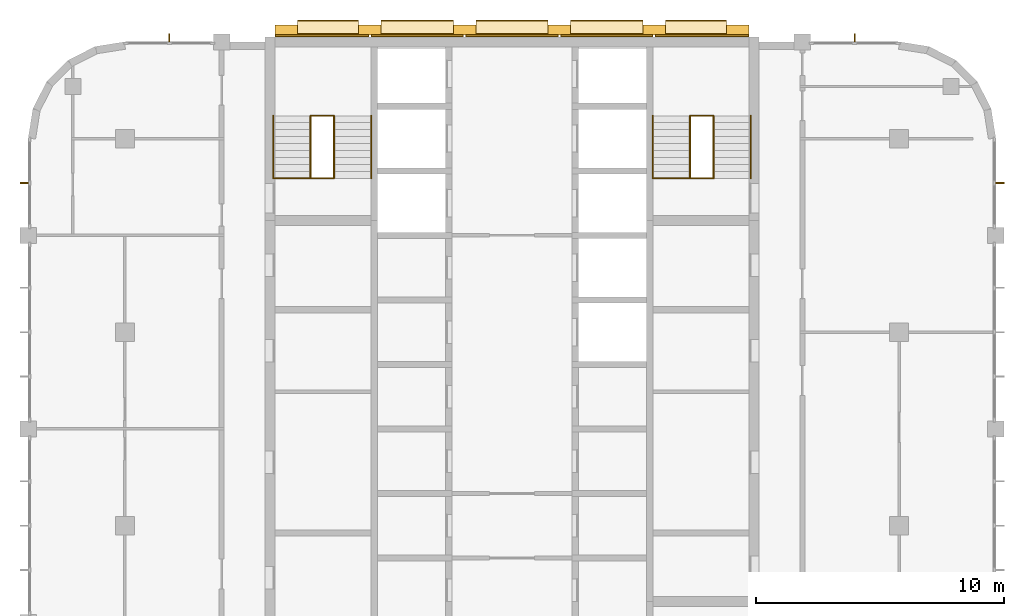
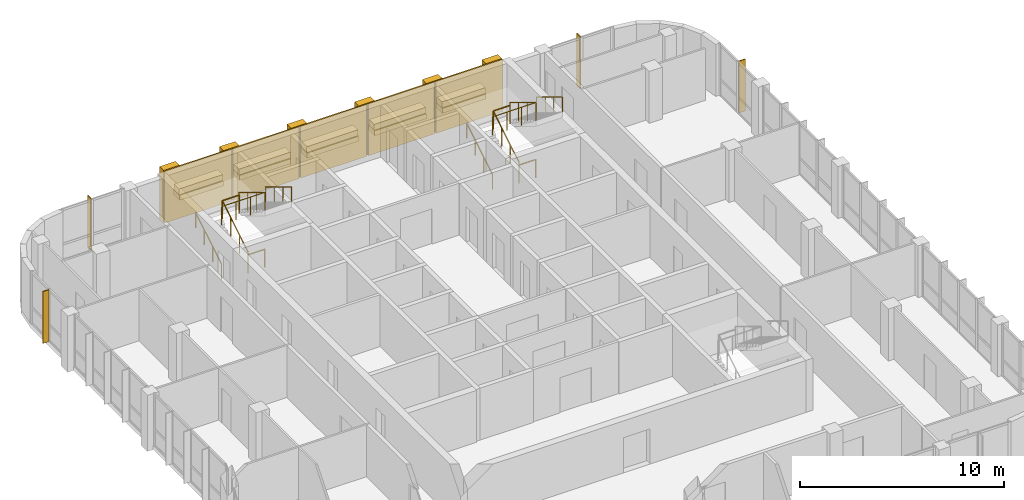
# One storey, part 17 of 17: 21 coverings, 14 railings, 4 shading devices, 2 elements without a shape of their own.
"""IFC4 building model written with IfcOpenShell, lengths in metres."""

from ifc_helpers import new_model, si_unit, direction, frame, origin, origin_2d, place, context, subcontext, project, spatial, rectangle, circle, extrude, material, layer, layer_set, type_object, element, aggregate, save


model = new_model("IFC4")

# Units and contexts
model_context = context("Model", 3, precision=1e-05, world=origin(), true_north=direction((0.0, 1.0)))
body_context = subcontext(model_context, "Body", "Model", "MODEL_VIEW")
ifc_project = project(units=[si_unit("LENGTHUNIT", "METRE"), si_unit("AREAUNIT", "SQUARE_METRE"), si_unit("VOLUMEUNIT", "CUBIC_METRE"), si_unit("PLANEANGLEUNIT", "RADIAN"), si_unit("MASSUNIT", "GRAM", prefix="KILO")], contexts=[model_context])

# Site, building, storey
site_placement = place(None, origin())
site = spatial("IfcSite", under=ifc_project, at=site_placement, CompositionType="ELEMENT")
building_placement = place(site_placement, origin())
building = spatial("IfcBuilding", under=site, at=building_placement, Name="Ludao Terraces", CompositionType="ELEMENT")
storey_placement = place(building_placement, frame((0.0, 0.0, 263.0)))
storey = spatial("IfcBuildingStorey", under=building, at=storey_placement, Name="L72", CompositionType="ELEMENT", Elevation=263.0)

# Coverings
ifc_material_1 = material(Name="Granite cladding", Category="masonry")
ifc_layer_1 = layer(ifc_material_1, 0.39990234375)
ifc_layer_set_1 = layer_set([ifc_layer_1], Name="ENV Core pilaster stone 400")
covering_type_1 = type_object("IfcCoveringType", Name="ENV Core pilaster stone 400", PredefinedType="CLADDING", material=ifc_layer_set_1)
for number, where, z_axis, x_axis, name in (
    (1, (75.89990234375, 84.97998046875, 0.0), (0.0, 0.0, 1.0), (1.0, 0.0, 0.0), "CC-L72-PIL1"),
    (2, (79.27001953125, 84.97998046875, 0.0), (0.0, 0.0, 1.0), (1.0, 0.0, 0.0), "CC-L72-PIL2"),
    (3, (83.090087890625, 84.97998046875, 0.0), (0.0, 0.0, 1.0), (1.0, 0.0, 0.0), "CC-L72-PIL3"),
    (4, (86.909912109375, 84.97998046875, 0.0), (0.0, 0.0, 1.0), (1.0, 0.0, 0.0), "CC-L72-PIL4"),
    (5, (90.72998046875, 84.97998046875, 0.0), (0.0, 0.0, 1.0), (1.0, 0.0, 0.0), "CC-L72-PIL5"),
    (6, (94.10009765625, 84.97998046875, 0.0), (0.0, 0.0, 1.0), (1.0, 0.0, 0.0), "CC-L72-PIL6"),
):
    element("IfcCovering", number, at=place(storey_placement, frame(where, z_axis=z_axis, x_axis=x_axis)), inside=storey, type_object=covering_type_1, Name=name, PredefinedType="CLADDING", context=body_context, shape_type="SweptSolid", body=[
        extrude(rectangle(XDim=0.89990234375, YDim=0.39990234375, at=origin_2d()), origin(), (0.0, 0.0, 1.0), 3.10009765625),
    ])
ifc_layer_2 = layer(ifc_material_1, 0.60009765625)
ifc_layer_set_2 = layer_set([ifc_layer_2], Name="ENV Core planting shelf stone 600")
covering_type_2 = type_object("IfcCoveringType", Name="ENV Core planting shelf stone 600", PredefinedType="CLADDING", material=ifc_layer_set_2)
covering_1_placement = place(storey_placement, frame((77.5849609375, 85.080078125, 1.0), z_axis=(0.0, 0.0, 1.0), x_axis=(1.0, 0.0, 0.0)))
element("IfcCovering", 7, at=covering_1_placement, inside=storey, type_object=covering_type_2, Name="CC-L72-SHELF1", PredefinedType="CLADDING", context=body_context, shape_type="SweptSolid", body=[
    extrude(rectangle(XDim=2.469970703125, YDim=0.60009765625, at=origin_2d()), origin(), (0.0, 0.0, 1.0), 0.300048828125),
])
for number, where, z_axis, x_axis, name in (
    (8, (81.179931640625, 85.080078125, 1.0), (0.0, 0.0, 1.0), (1.0, 0.0, 0.0), "CC-L72-SHELF2"),
    (9, (85.0, 85.080078125, 1.0), (0.0, 0.0, 1.0), (1.0, 0.0, 0.0), "CC-L72-SHELF3"),
    (10, (88.820068359375, 85.080078125, 1.0), (0.0, 0.0, 1.0), (1.0, 0.0, 0.0), "CC-L72-SHELF4"),
):
    element("IfcCovering", number, at=place(storey_placement, frame(where, z_axis=z_axis, x_axis=x_axis)), inside=storey, type_object=covering_type_2, Name=name, PredefinedType="CLADDING", context=body_context, shape_type="SweptSolid", body=[
        extrude(rectangle(XDim=2.919921875, YDim=0.60009765625, at=origin_2d()), origin(), (0.0, 0.0, 1.0), 0.300048828125),
    ])
covering_2_placement = place(storey_placement, frame((92.4150390625, 85.080078125, 1.0), z_axis=(0.0, 0.0, 1.0), x_axis=(1.0, 0.0, 0.0)))
element("IfcCovering", 11, at=covering_2_placement, inside=storey, type_object=covering_type_2, Name="CC-L72-SHELF5", PredefinedType="CLADDING", context=body_context, shape_type="SweptSolid", body=[
    extrude(rectangle(XDim=2.469970703125, YDim=0.60009765625, at=origin_2d()), origin(), (0.0, 0.0, 1.0), 0.300048828125),
])
ifc_layer_3 = layer(ifc_material_1, 0.080078125)
ifc_layer_set_3 = layer_set([ifc_layer_3], Name="ENV Core stone cladding panel 80")
covering_type_3 = type_object("IfcCoveringType", Name="ENV Core stone cladding panel 80", PredefinedType="CLADDING", material=ifc_layer_set_3)
covering_3_placement = place(storey_placement, frame((77.3349609375, 84.739990234375, 0.0), z_axis=(0.0, 0.0, 1.0), x_axis=(1.0, 0.0, 0.0)))
element("IfcCovering", 12, at=covering_3_placement, inside=storey, type_object=covering_type_3, Name="CC-L72-CORE1", PredefinedType="CLADDING", context=body_context, shape_type="SweptSolid", body=[
    extrude(rectangle(XDim=3.77001953125, YDim=0.080078125, at=origin_2d()), origin(), (0.0, 0.0, 1.0), 3.10009765625),
])
for number, where, z_axis, x_axis, name in (
    (13, (81.179931640625, 84.739990234375, 0.0), (0.0, 0.0, 1.0), (1.0, 0.0, 0.0), "CC-L72-CORE2"),
    (14, (85.0, 84.739990234375, 0.0), (0.0, 0.0, 1.0), (1.0, 0.0, 0.0), "CC-L72-CORE3"),
    (15, (88.820068359375, 84.739990234375, 0.0), (0.0, 0.0, 1.0), (1.0, 0.0, 0.0), "CC-L72-CORE4"),
):
    element("IfcCovering", number, at=place(storey_placement, frame(where, z_axis=z_axis, x_axis=x_axis)), inside=storey, type_object=covering_type_3, Name=name, PredefinedType="CLADDING", context=body_context, shape_type="SweptSolid", body=[
        extrude(rectangle(XDim=3.719970703125, YDim=0.080078125, at=origin_2d()), origin(), (0.0, 0.0, 1.0), 3.10009765625),
    ])
covering_4_placement = place(storey_placement, frame((92.6650390625, 84.739990234375, 0.0), z_axis=(0.0, 0.0, 1.0), x_axis=(1.0, 0.0, 0.0)))
element("IfcCovering", 16, at=covering_4_placement, inside=storey, type_object=covering_type_3, Name="CC-L72-CORE5", PredefinedType="CLADDING", context=body_context, shape_type="SweptSolid", body=[
    extrude(rectangle(XDim=3.77001953125, YDim=0.080078125, at=origin_2d()), origin(), (0.0, 0.0, 1.0), 3.10009765625),
])
ifc_material_2 = material(Name="Planting")
ifc_layer_4 = layer(ifc_material_2, 0.5)
ifc_layer_set_4 = layer_set([ifc_layer_4], Name="ENV Shelf planting bed 350")
covering_type_4 = type_object("IfcCoveringType", Name="ENV Shelf planting bed 350", PredefinedType="USERDEFINED", material=ifc_layer_set_4)
covering_5_placement = place(storey_placement, frame((77.5849609375, 85.080078125, 1.300048828125), z_axis=(0.0, 0.0, 1.0), x_axis=(1.0, 0.0, 0.0)))
element("IfcCovering", 17, at=covering_5_placement, inside=storey, type_object=covering_type_4, Name="Shelf planting bed L72 1", ObjectType="PLANTING", PredefinedType="USERDEFINED", context=body_context, shape_type="SweptSolid", body=[
    extrude(rectangle(XDim=2.469970703125, YDim=0.5, at=origin_2d()), origin(), (0.0, 0.0, 1.0), 0.35009765625),
])
for number, where, z_axis, x_axis, name in (
    (18, (81.179931640625, 85.080078125, 1.300048828125), (0.0, 0.0, 1.0), (1.0, 0.0, 0.0), "Shelf planting bed L72 2"),
    (19, (85.0, 85.080078125, 1.300048828125), (0.0, 0.0, 1.0), (1.0, 0.0, 0.0), "Shelf planting bed L72 3"),
    (20, (88.820068359375, 85.080078125, 1.300048828125), (0.0, 0.0, 1.0), (1.0, 0.0, 0.0), "Shelf planting bed L72 4"),
):
    element("IfcCovering", number, at=place(storey_placement, frame(where, z_axis=z_axis, x_axis=x_axis)), inside=storey, type_object=covering_type_4, Name=name, ObjectType="PLANTING", PredefinedType="USERDEFINED", context=body_context, shape_type="SweptSolid", body=[
        extrude(rectangle(XDim=2.919921875, YDim=0.5, at=origin_2d()), origin(), (0.0, 0.0, 1.0), 0.35009765625),
    ])
covering_6_placement = place(storey_placement, frame((92.4150390625, 85.080078125, 1.300048828125), z_axis=(0.0, 0.0, 1.0), x_axis=(1.0, 0.0, 0.0)))
element("IfcCovering", 21, at=covering_6_placement, inside=storey, type_object=covering_type_4, Name="Shelf planting bed L72 5", ObjectType="PLANTING", PredefinedType="USERDEFINED", context=body_context, shape_type="SweptSolid", body=[
    extrude(rectangle(XDim=2.469970703125, YDim=0.5, at=origin_2d()), origin(), (0.0, 0.0, 1.0), 0.35009765625),
])

# Shading devices
ifc_material_3 = material(Name="Aluminium 6063-T6", Category="aluminium")
ifc_layer_5 = layer(ifc_material_3, 0.050048828125)
ifc_layer_set_5 = layer_set([ifc_layer_5], Name="ENV Sun fin 50x350")
shading_device_type = type_object("IfcShadingDeviceType", Name="ENV Sun fin 50x350", PredefinedType="USERDEFINED", material=ifc_layer_set_5)
shading_device_1_placement = place(storey_placement, frame((104.655029296875, 78.8125, 0.0), z_axis=(0.0, 0.0, 1.0), x_axis=(1.0, 0.0, 0.0)))
element("IfcShadingDevice", 22, at=shading_device_1_placement, inside=storey, type_object=shading_device_type, Name="FN-CW-L72-E5-1", ObjectType="FIN", PredefinedType="USERDEFINED", context=body_context, shape_type="SweptSolid", body=[
    extrude(rectangle(XDim=0.35009765625, YDim=0.050048828125, at=origin_2d()), origin(), (0.0, 0.0, 1.0), 3.10009765625),
])
for number, where, z_axis, x_axis, name in (
    (23, (71.1875, 84.655029296875, 0.0), (0.0, 0.0, 1.0), (1.0, 0.0, 0.0), "FN-CW-L72-N1-1"),
    (24, (98.8125, 84.655029296875, 0.0), (0.0, 0.0, 1.0), (1.0, 0.0, 0.0), "FN-CW-L72-N4-1"),
):
    element("IfcShadingDevice", number, at=place(storey_placement, frame(where, z_axis=z_axis, x_axis=x_axis)), inside=storey, type_object=shading_device_type, Name=name, ObjectType="FIN", PredefinedType="USERDEFINED", context=body_context, shape_type="SweptSolid", body=[
        extrude(rectangle(XDim=0.050048828125, YDim=0.35009765625, at=origin_2d()), origin(), (0.0, 0.0, 1.0), 3.10009765625),
    ])
shading_device_2_placement = place(storey_placement, frame((65.344970703125, 78.8125, 0.0), z_axis=(0.0, 0.0, 1.0), x_axis=(1.0, 0.0, 0.0)))
element("IfcShadingDevice", 25, at=shading_device_2_placement, inside=storey, type_object=shading_device_type, Name="FN-CW-L72-W5-1", ObjectType="FIN", PredefinedType="USERDEFINED", context=body_context, shape_type="SweptSolid", body=[
    extrude(rectangle(XDim=0.35009765625, YDim=0.050048828125, at=origin_2d()), origin(), (0.0, 0.0, 1.0), 3.10009765625),
])

# Stair, railings
ifc_material_4 = material(Name="Concrete C40", Category="concrete")
stair_type = type_object("IfcStairType", Name="INT Stair", PredefinedType="HALF_TURN_STAIR", material=ifc_material_4)
stair_1_placement = place(storey_placement, origin())
stair_1 = element("IfcStair", 26, at=stair_1_placement, inside=storey, type_object=stair_type, Name="EXIT STAIR 1", PredefinedType="HALF_TURN_STAIR")
ifc_material_5 = material(Name="Stainless steel 304", Category="steel")
railing_type_1 = type_object("IfcRailingType", Name="INT Stair guard 1100", PredefinedType="GUARDRAIL", material=ifc_material_5)
railing_1_placement = place(storey_placement, frame((76.875, 79.0, 0.169921875)))
railing_1 = element("IfcRailing", 27, at=railing_1_placement, type_object=railing_type_1, Name="ST-L72-S1-R1G", PredefinedType="GUARDRAIL", context=body_context, shape_type="SweptSolid", body=[
    extrude(circle(Radius=0.02392578125, at=origin_2d()), frame((0.0, 0.0, 1.076171875), z_axis=(0.0, 0.85478489116, 0.518982456201), x_axis=(-1.0, 0.0, 0.0)), (0.0, 0.0, 1.0), 2.9482421875),
    extrude(circle(Radius=0.02099609375, at=origin_2d()), origin(), (0.0, 0.0, 1.0), 1.052001953125),
    extrude(circle(Radius=0.02099609375, at=origin_2d()), frame((0.0, 0.840087890625, 0.510009765625)), (0.0, 0.0, 1.0), 1.052001953125),
    extrude(circle(Radius=0.02099609375, at=origin_2d()), frame((0.0, 1.679931640625, 1.02001953125)), (0.0, 0.0, 1.0), 1.052001953125),
    extrude(circle(Radius=0.02099609375, at=origin_2d()), frame((0.0, 2.52001953125, 1.530029296875)), (0.0, 0.0, 1.0), 1.052001953125),
])
railing_2_placement = place(storey_placement, frame((77.824951171875, 81.52001953125, 1.8701171875)))
railing_2 = element("IfcRailing", 28, at=railing_2_placement, type_object=railing_type_1, Name="ST-L72-S1-R2G", PredefinedType="GUARDRAIL", context=body_context, shape_type="SweptSolid", body=[
    extrude(circle(Radius=0.02392578125, at=origin_2d()), frame((0.0, 0.0, 1.076171875), z_axis=(0.0, -0.854821627497, 0.518921945155), x_axis=(1.0, 0.0, 0.0)), (0.0, 0.0, 1.0), 2.947998046875),
    extrude(circle(Radius=0.02099609375, at=origin_2d()), origin(), (0.0, 0.0, 1.0), 1.052001953125),
    extrude(circle(Radius=0.02099609375, at=origin_2d()), frame((0.0, -0.840087890625, 0.510009765625)), (0.0, 0.0, 1.0), 1.052001953125),
    extrude(circle(Radius=0.02099609375, at=origin_2d()), frame((0.0, -1.679931640625, 1.019775390625)), (0.0, 0.0, 1.0), 1.052001953125),
    extrude(circle(Radius=0.02099609375, at=origin_2d()), frame((0.0, -2.52001953125, 1.52978515625)), (0.0, 0.0, 1.0), 1.052001953125),
])
railing_3_placement = place(storey_placement, frame((76.875, 81.52001953125, 1.699951171875)))
railing_3 = element("IfcRailing", 29, at=railing_3_placement, type_object=railing_type_1, Name="ST-L72-S1-E1G", PredefinedType="GUARDRAIL", context=body_context, shape_type="SweptSolid", body=[
    extrude(circle(Radius=0.02392578125, at=origin_2d()), frame((0.0, 0.0, 1.076171875), z_axis=(1.0, 0.0, 0.0), x_axis=(0.0, 1.0, 0.0)), (0.0, 0.0, 1.0), 0.949951171875),
    extrude(circle(Radius=0.02099609375, at=origin_2d()), origin(), (0.0, 0.0, 1.0), 1.052001953125),
    extrude(circle(Radius=0.02099609375, at=origin_2d()), frame((0.949951171875, 0.0, 0.0)), (0.0, 0.0, 1.0), 1.052001953125),
])
railing_4_placement = place(storey_placement, frame((76.875, 79.0, 0.0)))
railing_4 = element("IfcRailing", 30, at=railing_4_placement, type_object=railing_type_1, Name="ST-L72-S1-E2G", PredefinedType="GUARDRAIL", context=body_context, shape_type="SweptSolid", body=[
    extrude(circle(Radius=0.02392578125, at=origin_2d()), frame((0.0, 0.0, 1.076171875), z_axis=(1.0, 0.0, 0.0), x_axis=(0.0, 1.0, 0.0)), (0.0, 0.0, 1.0), 0.949951171875),
    extrude(circle(Radius=0.02099609375, at=origin_2d()), origin(), (0.0, 0.0, 1.0), 1.052001953125),
    extrude(circle(Radius=0.02099609375, at=origin_2d()), frame((0.949951171875, 0.0, 0.0)), (0.0, 0.0, 1.0), 1.052001953125),
])
railing_5_placement = place(storey_placement, frame((75.375, 79.0, 3.39990234375)))
railing_5 = element("IfcRailing", 31, at=railing_5_placement, type_object=railing_type_1, Name="ST-L72-S1-E3G", PredefinedType="GUARDRAIL", context=body_context, shape_type="SweptSolid", body=[
    extrude(circle(Radius=0.02392578125, at=origin_2d()), frame((0.0, 0.0, 1.076171875), z_axis=(1.0, 0.0, 0.0), x_axis=(0.0, 1.0, 0.0)), (0.0, 0.0, 1.0), 2.449951171875),
    extrude(circle(Radius=0.02099609375, at=origin_2d()), origin(), (0.0, 0.0, 1.0), 1.052001953125),
    extrude(circle(Radius=0.02099609375, at=origin_2d()), frame((0.816650390625, 0.0, 0.0)), (0.0, 0.0, 1.0), 1.052001953125),
    extrude(circle(Radius=0.02099609375, at=origin_2d()), frame((1.63330078125, 0.0, 0.0)), (0.0, 0.0, 1.0), 1.052001953125),
    extrude(circle(Radius=0.02099609375, at=origin_2d()), frame((2.449951171875, 0.0, 0.0)), (0.0, 0.0, 1.0), 1.052001953125),
])

stair_2_placement = place(storey_placement, origin())
stair_2 = element("IfcStair", 32, at=stair_2_placement, inside=storey, type_object=stair_type, Name="EXIT STAIR 2", PredefinedType="HALF_TURN_STAIR")
railing_6_placement = place(storey_placement, frame((92.175048828125, 79.0, 0.169921875)))
railing_6 = element("IfcRailing", 33, at=railing_6_placement, type_object=railing_type_1, Name="ST-L72-S2-R1G", PredefinedType="GUARDRAIL", context=body_context, shape_type="SweptSolid", body=[
    extrude(circle(Radius=0.02392578125, at=origin_2d()), frame((0.0, 0.0, 1.076171875), z_axis=(0.0, 0.85478489116, 0.518982456201), x_axis=(-1.0, 0.0, 0.0)), (0.0, 0.0, 1.0), 2.9482421875),
    extrude(circle(Radius=0.02099609375, at=origin_2d()), origin(), (0.0, 0.0, 1.0), 1.052001953125),
    extrude(circle(Radius=0.02099609375, at=origin_2d()), frame((0.0, 0.840087890625, 0.510009765625)), (0.0, 0.0, 1.0), 1.052001953125),
    extrude(circle(Radius=0.02099609375, at=origin_2d()), frame((0.0, 1.679931640625, 1.02001953125)), (0.0, 0.0, 1.0), 1.052001953125),
    extrude(circle(Radius=0.02099609375, at=origin_2d()), frame((0.0, 2.52001953125, 1.530029296875)), (0.0, 0.0, 1.0), 1.052001953125),
])
railing_7_placement = place(storey_placement, frame((93.125, 81.52001953125, 1.8701171875)))
railing_7 = element("IfcRailing", 34, at=railing_7_placement, type_object=railing_type_1, Name="ST-L72-S2-R2G", PredefinedType="GUARDRAIL", context=body_context, shape_type="SweptSolid", body=[
    extrude(circle(Radius=0.02392578125, at=origin_2d()), frame((0.0, 0.0, 1.076171875), z_axis=(0.0, -0.854821627497, 0.518921945155), x_axis=(1.0, 0.0, 0.0)), (0.0, 0.0, 1.0), 2.947998046875),
    extrude(circle(Radius=0.02099609375, at=origin_2d()), origin(), (0.0, 0.0, 1.0), 1.052001953125),
    extrude(circle(Radius=0.02099609375, at=origin_2d()), frame((0.0, -0.840087890625, 0.510009765625)), (0.0, 0.0, 1.0), 1.052001953125),
    extrude(circle(Radius=0.02099609375, at=origin_2d()), frame((0.0, -1.679931640625, 1.019775390625)), (0.0, 0.0, 1.0), 1.052001953125),
    extrude(circle(Radius=0.02099609375, at=origin_2d()), frame((0.0, -2.52001953125, 1.52978515625)), (0.0, 0.0, 1.0), 1.052001953125),
])
railing_8_placement = place(storey_placement, frame((92.175048828125, 81.52001953125, 1.699951171875)))
railing_8 = element("IfcRailing", 35, at=railing_8_placement, type_object=railing_type_1, Name="ST-L72-S2-E1G", PredefinedType="GUARDRAIL", context=body_context, shape_type="SweptSolid", body=[
    extrude(circle(Radius=0.02392578125, at=origin_2d()), frame((0.0, 0.0, 1.076171875), z_axis=(1.0, 0.0, 0.0), x_axis=(0.0, 1.0, 0.0)), (0.0, 0.0, 1.0), 0.949951171875),
    extrude(circle(Radius=0.02099609375, at=origin_2d()), origin(), (0.0, 0.0, 1.0), 1.052001953125),
    extrude(circle(Radius=0.02099609375, at=origin_2d()), frame((0.949951171875, 0.0, 0.0)), (0.0, 0.0, 1.0), 1.052001953125),
])
railing_9_placement = place(storey_placement, frame((92.175048828125, 79.0, 0.0)))
railing_9 = element("IfcRailing", 36, at=railing_9_placement, type_object=railing_type_1, Name="ST-L72-S2-E2G", PredefinedType="GUARDRAIL", context=body_context, shape_type="SweptSolid", body=[
    extrude(circle(Radius=0.02392578125, at=origin_2d()), frame((0.0, 0.0, 1.076171875), z_axis=(1.0, 0.0, 0.0), x_axis=(0.0, 1.0, 0.0)), (0.0, 0.0, 1.0), 0.949951171875),
    extrude(circle(Radius=0.02099609375, at=origin_2d()), origin(), (0.0, 0.0, 1.0), 1.052001953125),
    extrude(circle(Radius=0.02099609375, at=origin_2d()), frame((0.949951171875, 0.0, 0.0)), (0.0, 0.0, 1.0), 1.052001953125),
])
railing_10_placement = place(storey_placement, frame((90.675048828125, 79.0, 3.39990234375)))
railing_10 = element("IfcRailing", 37, at=railing_10_placement, type_object=railing_type_1, Name="ST-L72-S2-E3G", PredefinedType="GUARDRAIL", context=body_context, shape_type="SweptSolid", body=[
    extrude(circle(Radius=0.02392578125, at=origin_2d()), frame((0.0, 0.0, 1.076171875), z_axis=(1.0, 0.0, 0.0), x_axis=(0.0, 1.0, 0.0)), (0.0, 0.0, 1.0), 2.449951171875),
    extrude(circle(Radius=0.02099609375, at=origin_2d()), origin(), (0.0, 0.0, 1.0), 1.052001953125),
    extrude(circle(Radius=0.02099609375, at=origin_2d()), frame((0.816650390625, 0.0, 0.0)), (0.0, 0.0, 1.0), 1.052001953125),
    extrude(circle(Radius=0.02099609375, at=origin_2d()), frame((1.63330078125, 0.0, 0.0)), (0.0, 0.0, 1.0), 1.052001953125),
    extrude(circle(Radius=0.02099609375, at=origin_2d()), frame((2.449951171875, 0.0, 0.0)), (0.0, 0.0, 1.0), 1.052001953125),
])

# Railing
railing_type_2 = type_object("IfcRailingType", Name="INT Stair handrail 900", PredefinedType="HANDRAIL", material=ifc_material_5)
railing_11_placement = place(storey_placement, frame((75.375, 79.0, 0.169921875)))
railing_11 = element("IfcRailing", 38, at=railing_11_placement, type_object=railing_type_2, Name="ST-L72-S1-R1H", PredefinedType="HANDRAIL", context=body_context, shape_type="SweptSolid", body=[
    extrude(circle(Radius=0.02392578125, at=origin_2d()), frame((0.0, 0.0, 0.8759765625), z_axis=(0.0, 0.85478489116, 0.518982456201), x_axis=(-1.0, 0.0, 0.0)), (0.0, 0.0, 1.0), 2.9482421875),
    extrude(circle(Radius=0.02099609375, at=origin_2d()), origin(), (0.0, 0.0, 1.0), 0.851806640625),
    extrude(circle(Radius=0.02099609375, at=origin_2d()), frame((0.0, 0.840087890625, 0.510009765625)), (0.0, 0.0, 1.0), 0.851806640625),
    extrude(circle(Radius=0.02099609375, at=origin_2d()), frame((0.0, 1.679931640625, 1.02001953125)), (0.0, 0.0, 1.0), 0.851806640625),
    extrude(circle(Radius=0.02099609375, at=origin_2d()), frame((0.0, 2.52001953125, 1.530029296875)), (0.0, 0.0, 1.0), 0.851806640625),
])

railing_12_placement = place(storey_placement, frame((79.324951171875, 81.52001953125, 1.8701171875)))
railing_12 = element("IfcRailing", 39, at=railing_12_placement, type_object=railing_type_2, Name="ST-L72-S1-R2H", PredefinedType="HANDRAIL", context=body_context, shape_type="SweptSolid", body=[
    extrude(circle(Radius=0.02392578125, at=origin_2d()), frame((0.0, 0.0, 0.8759765625), z_axis=(0.0, -0.854821627497, 0.518921945155), x_axis=(1.0, 0.0, 0.0)), (0.0, 0.0, 1.0), 2.947998046875),
    extrude(circle(Radius=0.02099609375, at=origin_2d()), origin(), (0.0, 0.0, 1.0), 0.851806640625),
    extrude(circle(Radius=0.02099609375, at=origin_2d()), frame((0.0, -0.840087890625, 0.510009765625)), (0.0, 0.0, 1.0), 0.851806640625),
    extrude(circle(Radius=0.02099609375, at=origin_2d()), frame((0.0, -1.679931640625, 1.019775390625)), (0.0, 0.0, 1.0), 0.851806640625),
    extrude(circle(Radius=0.02099609375, at=origin_2d()), frame((0.0, -2.52001953125, 1.52978515625)), (0.0, 0.0, 1.0), 0.851806640625),
])

aggregate(stair_1, [railing_1, railing_11, railing_2, railing_12, railing_3, railing_4, railing_5])

railing_13_placement = place(storey_placement, frame((90.675048828125, 79.0, 0.169921875)))
railing_13 = element("IfcRailing", 40, at=railing_13_placement, type_object=railing_type_2, Name="ST-L72-S2-R1H", PredefinedType="HANDRAIL", context=body_context, shape_type="SweptSolid", body=[
    extrude(circle(Radius=0.02392578125, at=origin_2d()), frame((0.0, 0.0, 0.8759765625), z_axis=(0.0, 0.85478489116, 0.518982456201), x_axis=(-1.0, 0.0, 0.0)), (0.0, 0.0, 1.0), 2.9482421875),
    extrude(circle(Radius=0.02099609375, at=origin_2d()), origin(), (0.0, 0.0, 1.0), 0.851806640625),
    extrude(circle(Radius=0.02099609375, at=origin_2d()), frame((0.0, 0.840087890625, 0.510009765625)), (0.0, 0.0, 1.0), 0.851806640625),
    extrude(circle(Radius=0.02099609375, at=origin_2d()), frame((0.0, 1.679931640625, 1.02001953125)), (0.0, 0.0, 1.0), 0.851806640625),
    extrude(circle(Radius=0.02099609375, at=origin_2d()), frame((0.0, 2.52001953125, 1.530029296875)), (0.0, 0.0, 1.0), 0.851806640625),
])

railing_14_placement = place(storey_placement, frame((94.625, 81.52001953125, 1.8701171875)))
railing_14 = element("IfcRailing", 41, at=railing_14_placement, type_object=railing_type_2, Name="ST-L72-S2-R2H", PredefinedType="HANDRAIL", context=body_context, shape_type="SweptSolid", body=[
    extrude(circle(Radius=0.02392578125, at=origin_2d()), frame((0.0, 0.0, 0.8759765625), z_axis=(0.0, -0.854821627497, 0.518921945155), x_axis=(1.0, 0.0, 0.0)), (0.0, 0.0, 1.0), 2.947998046875),
    extrude(circle(Radius=0.02099609375, at=origin_2d()), origin(), (0.0, 0.0, 1.0), 0.851806640625),
    extrude(circle(Radius=0.02099609375, at=origin_2d()), frame((0.0, -0.840087890625, 0.510009765625)), (0.0, 0.0, 1.0), 0.851806640625),
    extrude(circle(Radius=0.02099609375, at=origin_2d()), frame((0.0, -1.679931640625, 1.019775390625)), (0.0, 0.0, 1.0), 0.851806640625),
    extrude(circle(Radius=0.02099609375, at=origin_2d()), frame((0.0, -2.52001953125, 1.52978515625)), (0.0, 0.0, 1.0), 0.851806640625),
])

aggregate(stair_2, [railing_6, railing_13, railing_7, railing_14, railing_8, railing_9, railing_10])

save(model, "model.ifc")
